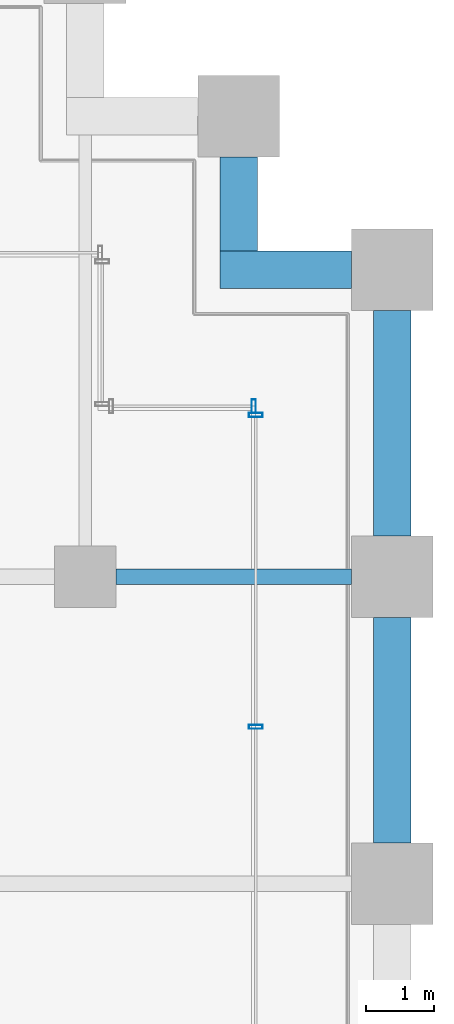
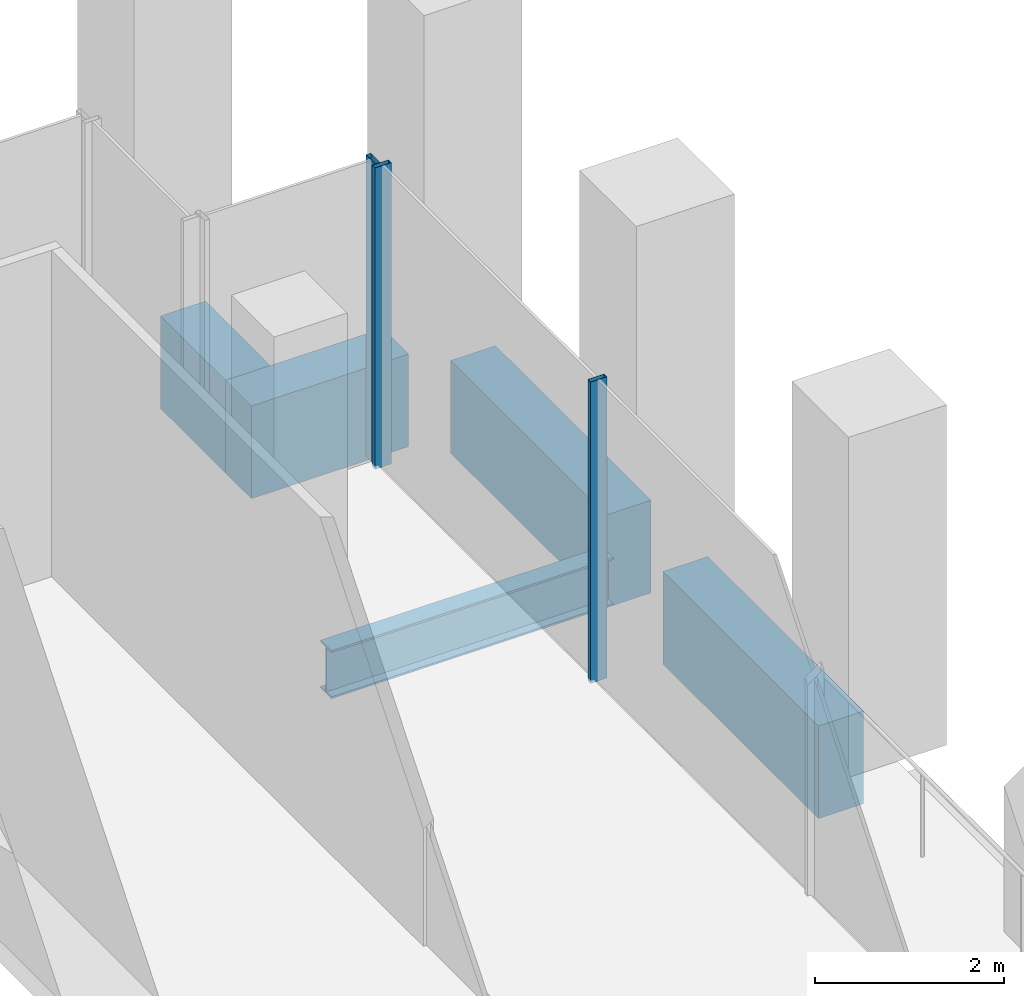
# One storey, part 27 of 36: 5 beams, 3 members, 2 elements without a shape of their own.
"""IFC4 building model written with IfcOpenShell, lengths in metres."""

from ifc_helpers import new_model, si_unit, direction, frame, origin, origin_2d, place, context, subcontext, project, spatial, rectangle, hollow_rectangle, i_section, extrude, material, material_profile, profile_set, type_object, element, aggregate, save


model = new_model("IFC4")

# Units and contexts
model_context = context("Model", 3, precision=1e-05, world=origin(), true_north=direction((0.0, 1.0)))
body_context = subcontext(model_context, "Body", "Model", "MODEL_VIEW")
ifc_project = project(units=[si_unit("LENGTHUNIT", "METRE"), si_unit("AREAUNIT", "SQUARE_METRE"), si_unit("VOLUMEUNIT", "CUBIC_METRE"), si_unit("PLANEANGLEUNIT", "RADIAN"), si_unit("MASSUNIT", "GRAM", prefix="KILO")], contexts=[model_context])

# Site, building, storey
site_placement = place(None, origin())
site = spatial("IfcSite", under=ifc_project, at=site_placement, CompositionType="ELEMENT")
building_placement = place(site_placement, origin())
building = spatial("IfcBuilding", under=site, at=building_placement, Name="Altepetl Exchange Towers", CompositionType="ELEMENT")
storey_placement = place(building_placement, frame((0.0, 0.0, 29.800048828125)))
storey = spatial("IfcBuildingStorey", under=building, at=storey_placement, Name="L06", CompositionType="ELEMENT", Elevation=29.800048828125)

# Beam
ifc_material_1 = material(Name="Steel S355", Category="steel")
ifc_material_profile_1 = material_profile(ifc_material_1, i_section(OverallWidth=0.22900390625, OverallDepth=0.623046875, WebThickness=0.013916015625, FlangeThickness=0.02490234375, at=origin_2d()), Name="W24X103")
ifc_profile_set_1 = profile_set([ifc_material_profile_1], Name="Steel S355")
beam_type_1 = type_object("IfcBeamType", Name="Girder W24X103", PredefinedType="BEAM", material=ifc_profile_set_1)
beam_1_placement = place(storey_placement, frame((121.949951171875, 49.5, -0.486572265625), z_axis=(1.0, 0.0, 0.0), x_axis=(0.0, 1.0, 0.0)))
element("IfcBeam", 1, at=beam_1_placement, inside=storey, type_object=beam_type_1, Name="gd:B:L06:001", PredefinedType="BEAM", context=body_context, shape_type="SweptSolid", body=[
    extrude(i_section(OverallWidth=0.22900390625, OverallDepth=0.623046875, WebThickness=0.013916015625, FlangeThickness=0.02490234375, at=origin_2d()), origin(), (0.0, 0.0, 1.0), 3.449951171875),
])

# Curtain wall, members
ifc_material_2 = material(Name="Aluminium 6063-T6 glazing", Category="aluminium")
curtain_wall_type = type_object("IfcCurtainWallType", Name="Trading floor glazing system", PredefinedType="NOTDEFINED", material=ifc_material_2)
curtain_wall_1_placement = place(storey_placement, origin())
curtain_wall_1 = element("IfcCurtainWall", 2, at=curtain_wall_1_placement, inside=storey, type_object=curtain_wall_type, Name="CW2 run", PredefinedType="NOTDEFINED")
ifc_material_3 = material(Name="Aluminium 6063-T6", Category="aluminium")
ifc_material_profile_2 = material_profile(ifc_material_3, hollow_rectangle(XDim=0.06005859375, YDim=0.199951171875, WallThickness=0.0029296875, at=origin_2d()), Name="Mullion 60x200 aluminium")
ifc_profile_set_2 = profile_set([ifc_material_profile_2], Name="Aluminium 6063-T6")
member_type = type_object("IfcMemberType", Name="Mullion 60x200 aluminium", PredefinedType="MULLION", material=ifc_profile_set_2)
member_1_placement = place(storey_placement, frame((124.0, 47.300048828125, 0.0), z_axis=(0.0, 0.0, 1.0), x_axis=(0.0, 1.0, 0.0)))
member_1 = element("IfcMember", 3, at=member_1_placement, type_object=member_type, Name="MU2 mullion", PredefinedType="MULLION", context=body_context, shape_type="SweptSolid", body=[
    extrude(hollow_rectangle(XDim=0.06005859375, YDim=0.199951171875, WallThickness=0.0029296875, at=origin_2d()), origin(), (0.0, 0.0, 1.0), 3.89990234375),
])
member_2_placement = place(storey_placement, frame((124.0, 51.8701171875, 0.0), z_axis=(0.0, 0.0, 1.0), x_axis=(0.0, 1.0, 0.0)))
member_2 = element("IfcMember", 4, at=member_2_placement, type_object=member_type, Name="MU2 mullion", PredefinedType="MULLION", context=body_context, shape_type="SweptSolid", body=[
    extrude(hollow_rectangle(XDim=0.06005859375, YDim=0.199951171875, WallThickness=0.0029296875, at=origin_2d()), origin(), (0.0, 0.0, 1.0), 3.89990234375),
])
aggregate(curtain_wall_1, [member_1, member_2])

# Curtain wall, member
curtain_wall_2_placement = place(storey_placement, origin())
curtain_wall_2 = element("IfcCurtainWall", 5, at=curtain_wall_2_placement, inside=storey, type_object=curtain_wall_type, Name="CW2 run", PredefinedType="NOTDEFINED")
member_3_placement = place(storey_placement, frame((123.969970703125, 52.0, 0.0), z_axis=(0.0, 0.0, 1.0), x_axis=(-1.0, 0.0, 0.0)))
member_3 = element("IfcMember", 6, at=member_3_placement, type_object=member_type, Name="MU2 mullion", PredefinedType="MULLION", context=body_context, shape_type="SweptSolid", body=[
    extrude(hollow_rectangle(XDim=0.06005859375, YDim=0.199951171875, WallThickness=0.0029296875, at=origin_2d()), origin(), (0.0, 0.0, 1.0), 3.89990234375),
])
aggregate(curtain_wall_2, [member_3])

# Beams
ifc_material_4 = material(Name="Concrete C50/60 precast with cantera amarilla facing", Category="concrete")
ifc_material_profile_3 = material_profile(ifc_material_4, rectangle(XDim=0.550048828125, YDim=1.199951171875, at=origin_2d()), Name="550 x 1200")
ifc_profile_set_3 = profile_set([ifc_material_profile_3], Name="Concrete C50/60 precast with cantera amarilla facing")
beam_type_2 = type_object("IfcBeamType", Name="Spandrel beam 550x1200 cantera amarilla", PredefinedType="SPANDREL", material=ifc_profile_set_3)
beam_2_placement = place(storey_placement, frame((126.0, 50.10009765625, -0.775146484375), z_axis=(0.0, 1.0, 0.0), x_axis=(-1.0, 0.0, 0.0)))
element("IfcBeam", 7, at=beam_2_placement, inside=storey, type_object=beam_type_2, Name="sp:B:L06:013", PredefinedType="SPANDREL", context=body_context, shape_type="SweptSolid", body=[
    extrude(rectangle(XDim=0.550048828125, YDim=1.199951171875, at=origin_2d()), origin(), (0.0, 0.0, 1.0), 3.2998046875),
])
beam_3_placement = place(storey_placement, frame((125.39990234375, 54.0, -0.775146484375), z_axis=(-1.0, 0.0, 0.0), x_axis=(0.0, -1.0, 0.0)))
element("IfcBeam", 8, at=beam_3_placement, inside=storey, type_object=beam_type_2, Name="sp:B:L06:014", PredefinedType="SPANDREL", context=body_context, shape_type="SweptSolid", body=[
    extrude(rectangle(XDim=0.550048828125, YDim=1.199951171875, at=origin_2d()), origin(), (0.0, 0.0, 1.0), 1.9248046875),
])
beam_4_placement = place(storey_placement, frame((123.75, 54.27490234375, -0.775146484375), z_axis=(0.0, 1.0, 0.0), x_axis=(-1.0, 0.0, 0.0)))
element("IfcBeam", 9, at=beam_4_placement, inside=storey, type_object=beam_type_2, Name="sp:B:L06:015", PredefinedType="SPANDREL", context=body_context, shape_type="SweptSolid", body=[
    extrude(rectangle(XDim=0.550048828125, YDim=1.199951171875, at=origin_2d()), origin(), (0.0, 0.0, 1.0), 1.375),
])
ifc_material_5 = material(Name="Concrete C50/60 precast with cantera blanca facing", Category="concrete")
ifc_material_profile_4 = material_profile(ifc_material_5, rectangle(XDim=0.550048828125, YDim=1.199951171875, at=origin_2d()), Name="550 x 1200")
ifc_profile_set_4 = profile_set([ifc_material_profile_4], Name="Concrete C50/60 precast with cantera blanca facing")
beam_type_3 = type_object("IfcBeamType", Name="Spandrel beam 550x1200 cantera blanca", PredefinedType="SPANDREL", material=ifc_profile_set_4)
beam_5_placement = place(storey_placement, frame((126.0, 45.60009765625, -0.775146484375), z_axis=(0.0, 1.0, 0.0), x_axis=(-1.0, 0.0, 0.0)))
element("IfcBeam", 10, at=beam_5_placement, inside=storey, type_object=beam_type_3, Name="sp:B:L06:012", PredefinedType="SPANDREL", context=body_context, shape_type="SweptSolid", body=[
    extrude(rectangle(XDim=0.550048828125, YDim=1.199951171875, at=origin_2d()), origin(), (0.0, 0.0, 1.0), 3.2998046875),
])

save(model, "model.ifc")
